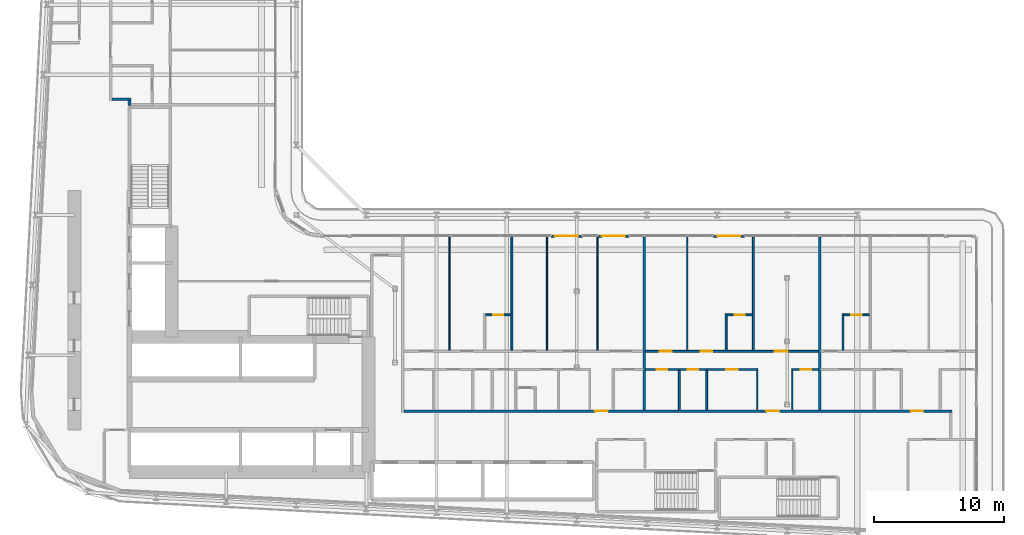
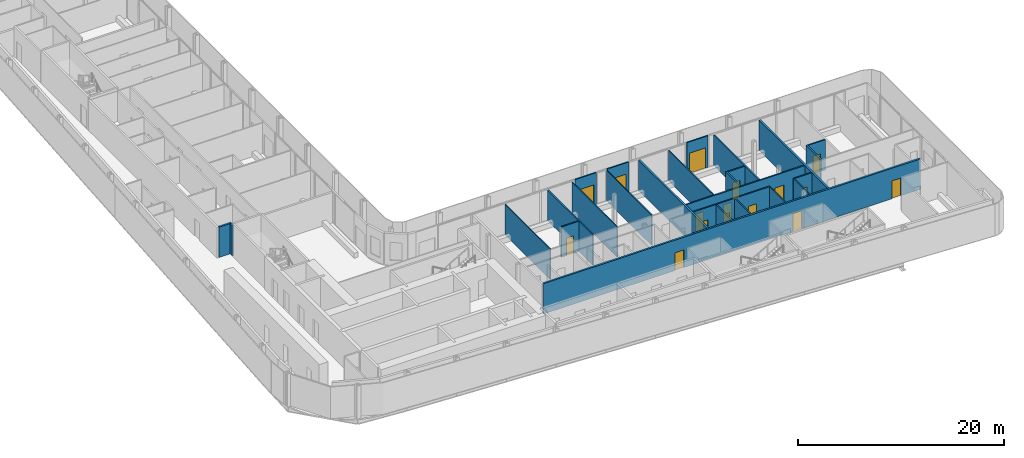
# One storey, part 17 of 29: 26 walls, 16 doors, 16 openings.
"""IFC4 building model written with IfcOpenShell, lengths in metres."""

from ifc_helpers import new_model, si_unit, direction, frame, frame_2d, origin, place, context, subcontext, project, spatial, rectangle, extrude, source, transform, mapped, material, layer, layer_set, type_object, element, fill, save


model = new_model("IFC4")

# Units and contexts
model_context = context("Model", 3, precision=1e-05, world=origin(), true_north=direction((0.0, 1.0)))
body_context = subcontext(model_context, "Body", "Model", "MODEL_VIEW")
ifc_project = project(units=[si_unit("LENGTHUNIT", "METRE"), si_unit("AREAUNIT", "SQUARE_METRE"), si_unit("VOLUMEUNIT", "CUBIC_METRE"), si_unit("PLANEANGLEUNIT", "RADIAN"), si_unit("MASSUNIT", "GRAM", prefix="KILO")], contexts=[model_context])

# Site, building, storey
site_placement = place(None, origin())
site = spatial("IfcSite", under=ifc_project, at=site_placement, CompositionType="ELEMENT")
building_placement = place(site_placement, origin())
building = spatial("IfcBuilding", under=site, at=building_placement, Name="Kheshtan School and Residences Tower", CompositionType="ELEMENT")
storey_placement = place(building_placement, frame((0.0, 0.0, 61.699951171875)))
storey = spatial("IfcBuildingStorey", under=building, at=storey_placement, Name="L14", CompositionType="ELEMENT", Elevation=61.699951171875)

# Walls
ifc_material_1 = material(Name="Gypsum board on steel studs with fire boards", Category="steel")
ifc_layer_1 = layer(ifc_material_1, 0.199951171875)
ifc_layer_set_1 = layer_set([ifc_layer_1], Name="Corridor wall 200")
wall_type_1 = type_object("IfcWallType", Name="Corridor wall 200", PredefinedType="PARTITIONING", material=ifc_layer_set_1)
wall_1_placement = place(storey_placement, frame((33.39990234375, 54.5, 0.0), z_axis=(0.0, 0.0, 1.0), x_axis=(1.0, 0.0, 0.0)))
element("IfcWall", 1, at=wall_1_placement, inside=storey, type_object=wall_type_1, Name="Partition L14-005", PredefinedType="PARTITIONING", context=body_context, shape_type="SweptSolid", body=[
    extrude(rectangle(XDim=1.4501953125, YDim=0.199951171875, at=frame_2d((0.72509765625, 0.0))), origin(), (0.0, 0.0, 1.0), 3.60009765625),
])
wall_2_placement = place(storey_placement, frame((34.75, 54.02490234375, 0.0), z_axis=(0.0, 0.0, 1.0), x_axis=(0.0, 1.0, 0.0)))
element("IfcWall", 2, at=wall_2_placement, inside=storey, type_object=wall_type_1, Name="Partition L14-015", PredefinedType="PARTITIONING", context=body_context, shape_type="SweptSolid", body=[
    extrude(rectangle(XDim=0.375, YDim=0.199951171875, at=frame_2d((0.1875, 0.0))), origin(), (0.0, 0.0, 1.0), 3.60009765625),
])

# Wall, openings, doors
wall_3_placement = place(storey_placement, frame((55.89990234375, 30.5, 0.0), z_axis=(0.0, 0.0, 1.0), x_axis=(1.0, 0.0, 0.0)))
wall_3 = element("IfcWall", 3, at=wall_3_placement, inside=storey, type_object=wall_type_1, Name="Partition L14-041", PredefinedType="PARTITIONING", context=body_context, shape_type="SweptSolid", body=[
    extrude(rectangle(XDim=42.2001953125, YDim=0.199951171875, at=frame_2d((21.10009765625, 0.0))), origin(), (0.0, 0.0, 1.0), 3.60009765625),
])
opening_1_placement = place(wall_3_placement, frame((14.699951171875, 0.0, 0.0)))
opening_1 = element("IfcOpeningElement", 4, at=opening_1_placement, cuts=wall_3, Name="Opening D14-007", PredefinedType="OPENING", context=body_context, shape_type="SweptSolid", body=[
    extrude(rectangle(XDim=1.0, YDim=2.10009765625, at=frame_2d((0.5, 1.050048828125))), frame((0.0, 0.10986328125, 0.0), z_axis=(0.0, -1.0, 0.0), x_axis=(1.0, 0.0, 0.0)), (0.0, 0.0, 1.0), 0.219970703125),
])
opening_2_placement = place(wall_3_placement, frame((27.89990234375, 0.0, 0.0)))
opening_2 = element("IfcOpeningElement", 5, at=opening_2_placement, cuts=wall_3, Name="Opening D14-019", PredefinedType="OPENING", context=body_context, shape_type="SweptSolid", body=[
    extrude(rectangle(XDim=1.0, YDim=2.10009765625, at=frame_2d((0.5, 1.050048828125))), frame((0.0, 0.10986328125, 0.0), z_axis=(0.0, -1.0, 0.0), x_axis=(1.0, 0.0, 0.0)), (0.0, 0.0, 1.0), 0.219970703125),
])
opening_3_placement = place(wall_3_placement, frame((39.0, 0.0, 0.0)))
opening_3 = element("IfcOpeningElement", 6, at=opening_3_placement, cuts=wall_3, Name="Opening D14-028", PredefinedType="OPENING", context=body_context, shape_type="SweptSolid", body=[
    extrude(rectangle(XDim=1.0, YDim=2.10009765625, at=frame_2d((0.5, 1.050048828125))), frame((0.0, 0.10986328125, 0.0), z_axis=(0.0, -1.0, 0.0), x_axis=(1.0, 0.0, 0.0)), (0.0, 0.0, 1.0), 0.219970703125),
])
ifc_material_2 = material(Name="Steel-framed fire-resisting door leaf", Category="steel")
door_type_1 = type_object("IfcDoorType", Name="Fire door FD30S 1000 x 2100", OperationType="SINGLE_SWING_LEFT", PredefinedType="DOOR", material=ifc_material_2)
shared_shape_1 = source(origin(), body_context, "Body", "SweptSolid", [
    extrude(rectangle(XDim=1.0, YDim=2.10009765625, at=frame_2d((0.5, 1.050048828125))), frame((0.0, 0.02490234375, 0.0), z_axis=(0.0, -1.0, 0.0), x_axis=(1.0, 0.0, 0.0)), (0.0, 0.0, 1.0), 0.050048828125),
])
door_1_placement = place(opening_1_placement, origin())
door_1 = element("IfcDoor", 7, at=door_1_placement, inside=storey, type_object=door_type_1, Name="Door D14-007", OperationType="SINGLE_SWING_LEFT", OverallHeight=2.10009765625, OverallWidth=1.0, PredefinedType="DOOR", context=body_context, shape_type="MappedRepresentation", body=[
    mapped(shared_shape_1, transform((0.0, 0.0, 0.0), x_axis=(1.0, 0.0, 0.0), y_axis=(0.0, 1.0, 0.0), z_axis=(0.0, 0.0, 1.0), scale=1.0)),
])
fill(opening_1, door_1)
door_2_placement = place(opening_2_placement, origin())
door_2 = element("IfcDoor", 8, at=door_2_placement, inside=storey, type_object=door_type_1, Name="Door D14-019", OperationType="SINGLE_SWING_LEFT", OverallHeight=2.10009765625, OverallWidth=1.0, PredefinedType="DOOR", context=body_context, shape_type="MappedRepresentation", body=[
    mapped(shared_shape_1, transform((0.0, 0.0, 0.0), x_axis=(1.0, 0.0, 0.0), y_axis=(0.0, 1.0, 0.0), z_axis=(0.0, 0.0, 1.0), scale=1.0)),
])
fill(opening_2, door_2)
door_3_placement = place(opening_3_placement, origin())
door_3 = element("IfcDoor", 9, at=door_3_placement, inside=storey, type_object=door_type_1, Name="Door D14-028", OperationType="SINGLE_SWING_LEFT", OverallHeight=2.10009765625, OverallWidth=1.0, PredefinedType="DOOR", context=body_context, shape_type="MappedRepresentation", body=[
    mapped(shared_shape_1, transform((0.0, 0.0, 0.0), x_axis=(1.0, 0.0, 0.0), y_axis=(0.0, 1.0, 0.0), z_axis=(0.0, 0.0, 1.0), scale=1.0)),
])
fill(opening_3, door_3)

# Wall, opening, door
ifc_material_3 = material(Name="Aluminium frame wall with insulated infill", Category="aluminium")
ifc_layer_2 = layer(ifc_material_3, 0.14990234375)
ifc_layer_set_2 = layer_set([ifc_layer_2], Name="Glazing frame wall 150")
wall_type_2 = type_object("IfcWallType", Name="Glazing frame wall 150", PredefinedType="SOLIDWALL", material=ifc_layer_set_2)
wall_4_placement = place(storey_placement, frame((67.218017578125, 43.97509765625, 0.0), z_axis=(0.0, 0.0, 1.0), x_axis=(1.0, 0.0, 0.0)))
wall_4 = element("IfcWall", 10, at=wall_4_placement, inside=storey, type_object=wall_type_2, Name="Balcony door wall L14 12.2", PredefinedType="SOLIDWALL", context=body_context, shape_type="SweptSolid", body=[
    extrude(rectangle(XDim=2.39990234375, YDim=0.14990234375, at=frame_2d((1.199951171875, 0.0))), origin(), (0.0, 0.0, 1.0), 3.75),
])
opening_4_placement = place(wall_4_placement, frame((0.300048828125, 0.0, 0.0)))
opening_4 = element("IfcOpeningElement", 11, at=opening_4_placement, cuts=wall_4, Name="Opening BD", PredefinedType="OPENING", context=body_context, shape_type="SweptSolid", body=[
    extrude(rectangle(XDim=1.800048828125, YDim=2.39990234375, at=frame_2d((0.89990234375, 1.199951171875))), frame((0.0, 0.0849609375, 0.0), z_axis=(0.0, -1.0, 0.0), x_axis=(1.0, 0.0, 0.0)), (0.0, 0.0, 1.0), 0.169921875),
])
ifc_material_4 = material(Name="Clear low-e glass in thermally broken aluminium frame", Category="aluminium")
door_type_2 = type_object("IfcDoorType", Name="Balcony sliding door", OperationType="SLIDING_TO_LEFT", PredefinedType="DOOR", material=ifc_material_4)
shared_shape_2 = source(origin(), body_context, "Body", "SweptSolid", [
    extrude(rectangle(XDim=1.800048828125, YDim=2.39990234375, at=frame_2d((0.89990234375, 1.199951171875))), frame((0.0, 0.02490234375, 0.0), z_axis=(0.0, -1.0, 0.0), x_axis=(1.0, 0.0, 0.0)), (0.0, 0.0, 1.0), 0.050048828125),
])
door_4_placement = place(opening_4_placement, origin())
door_4 = element("IfcDoor", 12, at=door_4_placement, inside=storey, type_object=door_type_2, Name="Balcony door L14 12.2", OperationType="SLIDING_TO_LEFT", OverallHeight=2.39990234375, OverallWidth=1.800048828125, PredefinedType="DOOR", context=body_context, shape_type="MappedRepresentation", body=[
    mapped(shared_shape_2, transform((0.0, 0.0, 0.0), x_axis=(1.0, 0.0, 0.0), y_axis=(0.0, 1.0, 0.0), z_axis=(0.0, 0.0, 1.0), scale=1.0)),
])
fill(opening_4, door_4)

wall_5_placement = place(storey_placement, frame((70.818115234375, 43.97509765625, 0.0), z_axis=(0.0, 0.0, 1.0), x_axis=(1.0, 0.0, 0.0)))
wall_5 = element("IfcWall", 13, at=wall_5_placement, inside=storey, type_object=wall_type_2, Name="Balcony door wall L14 12.3", PredefinedType="SOLIDWALL", context=body_context, shape_type="SweptSolid", body=[
    extrude(rectangle(XDim=2.39990234375, YDim=0.14990234375, at=frame_2d((1.199951171875, 0.0))), origin(), (0.0, 0.0, 1.0), 3.75),
])
opening_5_placement = place(wall_5_placement, frame((0.300048828125, 0.0, 0.0)))
opening_5 = element("IfcOpeningElement", 14, at=opening_5_placement, cuts=wall_5, Name="Opening BD", PredefinedType="OPENING", context=body_context, shape_type="SweptSolid", body=[
    extrude(rectangle(XDim=1.800048828125, YDim=2.39990234375, at=frame_2d((0.89990234375, 1.199951171875))), frame((0.0, 0.0849609375, 0.0), z_axis=(0.0, -1.0, 0.0), x_axis=(1.0, 0.0, 0.0)), (0.0, 0.0, 1.0), 0.169921875),
])
door_5_placement = place(opening_5_placement, origin())
door_5 = element("IfcDoor", 15, at=door_5_placement, inside=storey, type_object=door_type_2, Name="Balcony door L14 12.3", OperationType="SLIDING_TO_LEFT", OverallHeight=2.39990234375, OverallWidth=1.800048828125, PredefinedType="DOOR", context=body_context, shape_type="MappedRepresentation", body=[
    mapped(shared_shape_2, transform((0.0, 0.0, 0.0), x_axis=(1.0, 0.0, 0.0), y_axis=(0.0, 1.0, 0.0), z_axis=(0.0, 0.0, 1.0), scale=1.0)),
])
fill(opening_5, door_5)

wall_6_placement = place(storey_placement, frame((79.7119140625, 43.97509765625, 0.0), z_axis=(0.0, 0.0, 1.0), x_axis=(1.0, 0.0, 0.0)))
wall_6 = element("IfcWall", 16, at=wall_6_placement, inside=storey, type_object=wall_type_2, Name="Balcony door wall L14 12.4", PredefinedType="SOLIDWALL", context=body_context, shape_type="SweptSolid", body=[
    extrude(rectangle(XDim=2.400146484375, YDim=0.14990234375, at=frame_2d((1.2001953125, 0.0))), origin(), (0.0, 0.0, 1.0), 3.75),
])
opening_6_placement = place(wall_6_placement, frame((0.300048828125, 0.0, 0.0)))
opening_6 = element("IfcOpeningElement", 17, at=opening_6_placement, cuts=wall_6, Name="Opening BD", PredefinedType="OPENING", context=body_context, shape_type="SweptSolid", body=[
    extrude(rectangle(XDim=1.800048828125, YDim=2.39990234375, at=frame_2d((0.89990234375, 1.199951171875))), frame((0.0, 0.0849609375, 0.0), z_axis=(0.0, -1.0, 0.0), x_axis=(1.0, 0.0, 0.0)), (0.0, 0.0, 1.0), 0.169921875),
])
door_6_placement = place(opening_6_placement, origin())
door_6 = element("IfcDoor", 18, at=door_6_placement, inside=storey, type_object=door_type_2, Name="Balcony door L14 12.4", OperationType="SLIDING_TO_LEFT", OverallHeight=2.39990234375, OverallWidth=1.800048828125, PredefinedType="DOOR", context=body_context, shape_type="MappedRepresentation", body=[
    mapped(shared_shape_2, transform((0.0, 0.0, 0.0), x_axis=(1.0, 0.0, 0.0), y_axis=(0.0, 1.0, 0.0), z_axis=(0.0, 0.0, 1.0), scale=1.0)),
])
fill(opening_6, door_6)

# Walls
ifc_material_5 = material(Name="Gypsum board on steel studs", Category="steel")
ifc_layer_3 = layer(ifc_material_5, 0.10009765625)
ifc_layer_set_3 = layer_set([ifc_layer_3], Name="Gypsum partition 100")
wall_type_3 = type_object("IfcWallType", Name="Gypsum partition 100", PredefinedType="PARTITIONING", material=ifc_layer_set_3)
for number, where, z_axis, x_axis, name in (
    (19, (59.39990234375, 35.175048828125, 0.0), (0.0, 0.0, 1.0), (0.0, 1.0, 0.0), "Partition L14-045"),
    (20, (66.89990234375, 35.175048828125, 0.0), (0.0, 0.0, 1.0), (0.0, 1.0, 0.0), "Partition L14-054"),
    (21, (70.800048828125, 35.175048828125, 0.0), (0.0, 0.0, 1.0), (0.0, 1.0, 0.0), "Partition L14-057"),
    (22, (77.699951171875, 35.175048828125, 0.0), (0.0, 0.0, 1.0), (0.0, 1.0, 0.0), "Partition L14-064"),
):
    element("IfcWall", number, at=place(storey_placement, frame(where, z_axis=z_axis, x_axis=x_axis)), inside=storey, type_object=wall_type_3, Name=name, PredefinedType="PARTITIONING", context=body_context, shape_type="SweptSolid", body=[
        extrude(rectangle(XDim=8.724853515625, YDim=0.10009765625, at=frame_2d((4.3623046875, 0.0))), origin(), (0.0, 0.0, 1.0), 3.60009765625),
    ])
for number, where, z_axis, x_axis, name in (
    (23, (83.10009765625, 30.60009765625, 0.0), (0.0, 0.0, 1.0), (0.0, 1.0, 0.0), "Partition L14-069"),
    (24, (85.800048828125, 30.60009765625, 0.0), (0.0, 0.0, 1.0), (0.0, 1.0, 0.0), "Partition L14-071"),
):
    element("IfcWall", number, at=place(storey_placement, frame(where, z_axis=z_axis, x_axis=x_axis)), inside=storey, type_object=wall_type_3, Name=name, PredefinedType="PARTITIONING", context=body_context, shape_type="SweptSolid", body=[
        extrude(rectangle(XDim=3.02490234375, YDim=0.10009765625, at=frame_2d((1.512451171875, 0.0))), origin(), (0.0, 0.0, 1.0), 3.60009765625),
    ])
ifc_material_6 = material(Name="Twin gypsum board on steel studs with mineral wool", Category="steel")
ifc_layer_4 = layer(ifc_material_6, 0.199951171875)
ifc_layer_set_4 = layer_set([ifc_layer_4], Name="Unit demising wall 200")
wall_type_4 = type_object("IfcWallType", Name="Unit demising wall 200", PredefinedType="PARTITIONING", material=ifc_layer_set_4)
for number, where, z_axis, x_axis, name in (
    (25, (74.39990234375, 30.60009765625, 0.0), (0.0, 0.0, 1.0), (0.0, 1.0, 0.0), "Partition L14-060"),
    (26, (87.89990234375, 30.60009765625, 0.0), (0.0, 0.0, 1.0), (0.0, 1.0, 0.0), "Partition L14-072"),
):
    element("IfcWall", number, at=place(storey_placement, frame(where, z_axis=z_axis, x_axis=x_axis)), inside=storey, type_object=wall_type_4, Name=name, PredefinedType="PARTITIONING", context=body_context, shape_type="SweptSolid", body=[
        extrude(rectangle(XDim=13.2998046875, YDim=0.199951171875, at=frame_2d((6.64990234375, 0.0))), origin(), (0.0, 0.0, 1.0), 3.60009765625),
    ])

# Wall, opening, door
ifc_material_7 = material(Name="Moisture-resistant gypsum board on steel studs", Category="steel")
ifc_layer_5 = layer(ifc_material_7, 0.14990234375)
ifc_layer_set_5 = layer_set([ifc_layer_5], Name="Wet-room partition 150")
wall_type_5 = type_object("IfcWallType", Name="Wet-room partition 150", PredefinedType="PARTITIONING", material=ifc_layer_set_5)
wall_7_placement = place(storey_placement, frame((62.175048828125, 37.89990234375, 0.0), z_axis=(0.0, 0.0, 1.0), x_axis=(1.0, 0.0, 0.0)))
wall_7 = element("IfcWall", 27, at=wall_7_placement, inside=storey, type_object=wall_type_5, Name="Partition L14-048", PredefinedType="PARTITIONING", context=body_context, shape_type="SweptSolid", body=[
    extrude(rectangle(XDim=1.949951171875, YDim=0.14990234375, at=frame_2d((0.97509765625, 0.0))), origin(), (0.0, 0.0, 1.0), 3.60009765625),
])
opening_7_placement = place(wall_7_placement, frame((0.574951171875, 0.0, 0.0)))
opening_7 = element("IfcOpeningElement", 28, at=opening_7_placement, cuts=wall_7, Name="Opening D14-006", PredefinedType="OPENING", context=body_context, shape_type="SweptSolid", body=[
    extrude(rectangle(XDim=0.800048828125, YDim=2.10009765625, at=frame_2d((0.39990234375, 1.050048828125))), frame((0.0, 0.0849609375, 0.0), z_axis=(0.0, -1.0, 0.0), x_axis=(1.0, 0.0, 0.0)), (0.0, 0.0, 1.0), 0.169921875),
])
ifc_material_8 = material(Name="Veneered timber door leaf", Category="wood")
door_type_3 = type_object("IfcDoorType", Name="Door 800 x 2100", OperationType="SINGLE_SWING_LEFT", PredefinedType="DOOR", material=ifc_material_8)
shared_shape_3 = source(origin(), body_context, "Body", "SweptSolid", [
    extrude(rectangle(XDim=0.800048828125, YDim=2.10009765625, at=frame_2d((0.39990234375, 1.050048828125))), frame((0.0, 0.02490234375, 0.0), z_axis=(0.0, -1.0, 0.0), x_axis=(1.0, 0.0, 0.0)), (0.0, 0.0, 1.0), 0.050048828125),
])
door_7_placement = place(opening_7_placement, origin())
door_7 = element("IfcDoor", 29, at=door_7_placement, inside=storey, type_object=door_type_3, Name="Door D14-006", OperationType="SINGLE_SWING_LEFT", OverallHeight=2.10009765625, OverallWidth=0.800048828125, PredefinedType="DOOR", context=body_context, shape_type="MappedRepresentation", body=[
    mapped(shared_shape_3, transform((0.0, 0.0, 0.0), x_axis=(1.0, 0.0, 0.0), y_axis=(0.0, 1.0, 0.0), z_axis=(0.0, 0.0, 1.0), scale=1.0)),
])
fill(opening_7, door_7)

# Wall
wall_8_placement = place(storey_placement, frame((64.199951171875, 35.175048828125, 0.0), z_axis=(0.0, 0.0, 1.0), x_axis=(0.0, 1.0, 0.0)))
element("IfcWall", 30, at=wall_8_placement, inside=storey, type_object=wall_type_5, Name="Partition L14-050", PredefinedType="PARTITIONING", context=body_context, shape_type="SweptSolid", body=[
    extrude(rectangle(XDim=8.724853515625, YDim=0.14990234375, at=frame_2d((4.3623046875, 0.0))), origin(), (0.0, 0.0, 1.0), 3.60009765625),
])

# Wall, openings, doors
wall_9_placement = place(storey_placement, frame((74.5, 33.699951171875, 0.0), z_axis=(0.0, 0.0, 1.0), x_axis=(1.0, 0.0, 0.0)))
wall_9 = element("IfcWall", 31, at=wall_9_placement, inside=storey, type_object=wall_type_5, Name="Partition L14-061", PredefinedType="PARTITIONING", context=body_context, shape_type="SweptSolid", body=[
    extrude(rectangle(XDim=8.64990234375, YDim=0.14990234375, at=frame_2d((4.324951171875, 0.0))), origin(), (0.0, 0.0, 1.0), 3.60009765625),
])
opening_8_placement = place(wall_9_placement, frame((0.85009765625, 0.0, 0.0)))
opening_8 = element("IfcOpeningElement", 32, at=opening_8_placement, cuts=wall_9, Name="Opening D14-016", PredefinedType="OPENING", context=body_context, shape_type="SweptSolid", body=[
    extrude(rectangle(XDim=0.800048828125, YDim=2.10009765625, at=frame_2d((0.39990234375, 1.050048828125))), frame((0.0, 0.0849609375, 0.0), z_axis=(0.0, -1.0, 0.0), x_axis=(1.0, 0.0, 0.0)), (0.0, 0.0, 1.0), 0.169921875),
])
opening_9_placement = place(wall_9_placement, frame((6.199951171875, 0.0, 0.0)))
opening_9 = element("IfcOpeningElement", 33, at=opening_9_placement, cuts=wall_9, Name="Opening D14-020", PredefinedType="OPENING", context=body_context, shape_type="SweptSolid", body=[
    extrude(rectangle(XDim=0.89990234375, YDim=2.10009765625, at=frame_2d((0.449951171875, 1.050048828125))), frame((0.0, 0.0849609375, 0.0), z_axis=(0.0, -1.0, 0.0), x_axis=(1.0, 0.0, 0.0)), (0.0, 0.0, 1.0), 0.169921875),
])
opening_10_placement = place(wall_9_placement, frame((3.25, 0.0, 0.0)))
opening_10 = element("IfcOpeningElement", 34, at=opening_10_placement, cuts=wall_9, Name="Opening D14-024", PredefinedType="OPENING", context=body_context, shape_type="SweptSolid", body=[
    extrude(rectangle(XDim=0.800048828125, YDim=2.10009765625, at=frame_2d((0.39990234375, 1.050048828125))), frame((0.0, 0.0849609375, 0.0), z_axis=(0.0, -1.0, 0.0), x_axis=(1.0, 0.0, 0.0)), (0.0, 0.0, 1.0), 0.169921875),
])
door_8_placement = place(opening_8_placement, origin())
door_8 = element("IfcDoor", 35, at=door_8_placement, inside=storey, type_object=door_type_3, Name="Door D14-016", OperationType="SINGLE_SWING_LEFT", OverallHeight=2.10009765625, OverallWidth=0.800048828125, PredefinedType="DOOR", context=body_context, shape_type="MappedRepresentation", body=[
    mapped(shared_shape_3, transform((0.0, 0.0, 0.0), x_axis=(1.0, 0.0, 0.0), y_axis=(0.0, 1.0, 0.0), z_axis=(0.0, 0.0, 1.0), scale=1.0)),
])
fill(opening_8, door_8)
door_9_placement = place(opening_10_placement, origin())
door_9 = element("IfcDoor", 36, at=door_9_placement, inside=storey, type_object=door_type_3, Name="Door D14-024", OperationType="SINGLE_SWING_LEFT", OverallHeight=2.10009765625, OverallWidth=0.800048828125, PredefinedType="DOOR", context=body_context, shape_type="MappedRepresentation", body=[
    mapped(shared_shape_3, transform((0.0, 0.0, 0.0), x_axis=(1.0, 0.0, 0.0), y_axis=(0.0, 1.0, 0.0), z_axis=(0.0, 0.0, 1.0), scale=1.0)),
])
fill(opening_10, door_9)
door_type_4 = type_object("IfcDoorType", Name="Door 900 x 2100", OperationType="SINGLE_SWING_LEFT", PredefinedType="DOOR", material=ifc_material_8)
shared_shape_4 = source(origin(), body_context, "Body", "SweptSolid", [
    extrude(rectangle(XDim=0.89990234375, YDim=2.10009765625, at=frame_2d((0.449951171875, 1.050048828125))), frame((0.0, 0.02490234375, 0.0), z_axis=(0.0, -1.0, 0.0), x_axis=(1.0, 0.0, 0.0)), (0.0, 0.0, 1.0), 0.050048828125),
])
door_10_placement = place(opening_9_placement, origin())
door_10 = element("IfcDoor", 37, at=door_10_placement, inside=storey, type_object=door_type_4, Name="Door D14-020", OperationType="SINGLE_SWING_LEFT", OverallHeight=2.10009765625, OverallWidth=0.89990234375, PredefinedType="DOOR", context=body_context, shape_type="MappedRepresentation", body=[
    mapped(shared_shape_4, transform((0.0, 0.0, 0.0), x_axis=(1.0, 0.0, 0.0), y_axis=(0.0, 1.0, 0.0), z_axis=(0.0, 0.0, 1.0), scale=1.0)),
])
fill(opening_9, door_10)

wall_10_placement = place(storey_placement, frame((74.5, 35.10009765625, 0.0), z_axis=(0.0, 0.0, 1.0), x_axis=(1.0, 0.0, 0.0)))
wall_10 = element("IfcWall", 38, at=wall_10_placement, inside=storey, type_object=wall_type_5, Name="Partition L14-062", PredefinedType="PARTITIONING", context=body_context, shape_type="SweptSolid", body=[
    extrude(rectangle(XDim=13.300048828125, YDim=0.14990234375, at=frame_2d((6.64990234375, 0.0))), origin(), (0.0, 0.0, 1.0), 3.60009765625),
])
opening_11_placement = place(wall_10_placement, frame((1.10009765625, 0.0, 0.0)))
opening_11 = element("IfcOpeningElement", 39, at=opening_11_placement, cuts=wall_10, Name="Opening D14-017", PredefinedType="OPENING", context=body_context, shape_type="SweptSolid", body=[
    extrude(rectangle(XDim=0.89990234375, YDim=2.10009765625, at=frame_2d((0.449951171875, 1.050048828125))), frame((0.0, 0.0849609375, 0.0), z_axis=(0.0, -1.0, 0.0), x_axis=(1.0, 0.0, 0.0)), (0.0, 0.0, 1.0), 0.169921875),
])
opening_12_placement = place(wall_10_placement, frame((9.949951171875, 0.0, 0.0)))
opening_12 = element("IfcOpeningElement", 40, at=opening_12_placement, cuts=wall_10, Name="Opening D14-021", PredefinedType="OPENING", context=body_context, shape_type="SweptSolid", body=[
    extrude(rectangle(XDim=1.0, YDim=2.10009765625, at=frame_2d((0.5, 1.050048828125))), frame((0.0, 0.0849609375, 0.0), z_axis=(0.0, -1.0, 0.0), x_axis=(1.0, 0.0, 0.0)), (0.0, 0.0, 1.0), 0.169921875),
])
opening_13_placement = place(wall_10_placement, frame((4.25, 0.0, 0.0)))
opening_13 = element("IfcOpeningElement", 41, at=opening_13_placement, cuts=wall_10, Name="Opening D14-022", PredefinedType="OPENING", context=body_context, shape_type="SweptSolid", body=[
    extrude(rectangle(XDim=0.89990234375, YDim=2.10009765625, at=frame_2d((0.449951171875, 1.050048828125))), frame((0.0, 0.0849609375, 0.0), z_axis=(0.0, -1.0, 0.0), x_axis=(1.0, 0.0, 0.0)), (0.0, 0.0, 1.0), 0.169921875),
])
door_type_5 = type_object("IfcDoorType", Name="Door 1000 x 2100", OperationType="SINGLE_SWING_LEFT", PredefinedType="DOOR", material=ifc_material_8)
shared_shape_5 = source(origin(), body_context, "Body", "SweptSolid", [
    extrude(rectangle(XDim=1.0, YDim=2.10009765625, at=frame_2d((0.5, 1.050048828125))), frame((0.0, 0.02490234375, 0.0), z_axis=(0.0, -1.0, 0.0), x_axis=(1.0, 0.0, 0.0)), (0.0, 0.0, 1.0), 0.050048828125),
])
door_11_placement = place(opening_12_placement, origin())
door_11 = element("IfcDoor", 42, at=door_11_placement, inside=storey, type_object=door_type_5, Name="Door D14-021", OperationType="SINGLE_SWING_LEFT", OverallHeight=2.10009765625, OverallWidth=1.0, PredefinedType="DOOR", context=body_context, shape_type="MappedRepresentation", body=[
    mapped(shared_shape_5, transform((0.0, 0.0, 0.0), x_axis=(1.0, 0.0, 0.0), y_axis=(0.0, 1.0, 0.0), z_axis=(0.0, 0.0, 1.0), scale=1.0)),
])
fill(opening_12, door_11)
door_12_placement = place(opening_11_placement, origin())
door_12 = element("IfcDoor", 43, at=door_12_placement, inside=storey, type_object=door_type_4, Name="Door D14-017", OperationType="SINGLE_SWING_RIGHT", OverallHeight=2.10009765625, OverallWidth=0.89990234375, PredefinedType="DOOR", context=body_context, shape_type="MappedRepresentation", body=[
    mapped(shared_shape_4, transform((0.0, 0.0, 0.0), x_axis=(1.0, 0.0, 0.0), y_axis=(0.0, 1.0, 0.0), z_axis=(0.0, 0.0, 1.0), scale=1.0)),
])
fill(opening_11, door_12)
door_13_placement = place(opening_13_placement, origin())
door_13 = element("IfcDoor", 44, at=door_13_placement, inside=storey, type_object=door_type_4, Name="Door D14-022", OperationType="SINGLE_SWING_LEFT", OverallHeight=2.10009765625, OverallWidth=0.89990234375, PredefinedType="DOOR", context=body_context, shape_type="MappedRepresentation", body=[
    mapped(shared_shape_4, transform((0.0, 0.0, 0.0), x_axis=(1.0, 0.0, 0.0), y_axis=(0.0, 1.0, 0.0), z_axis=(0.0, 0.0, 1.0), scale=1.0)),
])
fill(opening_13, door_13)

# Walls
for number, where, z_axis, x_axis, name in (
    (45, (77.10009765625, 30.60009765625, 0.0), (0.0, 0.0, 1.0), (0.0, 1.0, 0.0), "Partition L14-063"),
    (46, (79.199951171875, 30.60009765625, 0.0), (0.0, 0.0, 1.0), (0.0, 1.0, 0.0), "Partition L14-065"),
):
    element("IfcWall", number, at=place(storey_placement, frame(where, z_axis=z_axis, x_axis=x_axis)), inside=storey, type_object=wall_type_5, Name=name, PredefinedType="PARTITIONING", context=body_context, shape_type="SweptSolid", body=[
        extrude(rectangle(XDim=3.02490234375, YDim=0.14990234375, at=frame_2d((1.512451171875, 0.0))), origin(), (0.0, 0.0, 1.0), 3.60009765625),
    ])
wall_11_placement = place(storey_placement, frame((80.699951171875, 35.175048828125, 0.0), z_axis=(0.0, 0.0, 1.0), x_axis=(0.0, 1.0, 0.0)))
element("IfcWall", 47, at=wall_11_placement, inside=storey, type_object=wall_type_5, Name="Partition L14-066", PredefinedType="PARTITIONING", context=body_context, shape_type="SweptSolid", body=[
    extrude(rectangle(XDim=2.800048828125, YDim=0.14990234375, at=frame_2d((1.39990234375, 0.0))), origin(), (0.0, 0.0, 1.0), 3.60009765625),
])

# Wall, opening, door
wall_12_placement = place(storey_placement, frame((80.77490234375, 37.89990234375, 0.0), z_axis=(0.0, 0.0, 1.0), x_axis=(1.0, 0.0, 0.0)))
wall_12 = element("IfcWall", 48, at=wall_12_placement, inside=storey, type_object=wall_type_5, Name="Partition L14-067", PredefinedType="PARTITIONING", context=body_context, shape_type="SweptSolid", body=[
    extrude(rectangle(XDim=1.9501953125, YDim=0.14990234375, at=frame_2d((0.97509765625, 0.0))), origin(), (0.0, 0.0, 1.0), 3.60009765625),
])
opening_14_placement = place(wall_12_placement, frame((0.574951171875, 0.0, 0.0)))
opening_14 = element("IfcOpeningElement", 49, at=opening_14_placement, cuts=wall_12, Name="Opening D14-018", PredefinedType="OPENING", context=body_context, shape_type="SweptSolid", body=[
    extrude(rectangle(XDim=0.800048828125, YDim=2.10009765625, at=frame_2d((0.39990234375, 1.050048828125))), frame((0.0, 0.0849609375, 0.0), z_axis=(0.0, -1.0, 0.0), x_axis=(1.0, 0.0, 0.0)), (0.0, 0.0, 1.0), 0.169921875),
])
door_14_placement = place(opening_14_placement, origin())
door_14 = element("IfcDoor", 50, at=door_14_placement, inside=storey, type_object=door_type_3, Name="Door D14-018", OperationType="SINGLE_SWING_LEFT", OverallHeight=2.10009765625, OverallWidth=0.800048828125, PredefinedType="DOOR", context=body_context, shape_type="MappedRepresentation", body=[
    mapped(shared_shape_3, transform((0.0, 0.0, 0.0), x_axis=(1.0, 0.0, 0.0), y_axis=(0.0, 1.0, 0.0), z_axis=(0.0, 0.0, 1.0), scale=1.0)),
])
fill(opening_14, door_14)

# Wall
wall_13_placement = place(storey_placement, frame((82.800048828125, 35.175048828125, 0.0), z_axis=(0.0, 0.0, 1.0), x_axis=(0.0, 1.0, 0.0)))
element("IfcWall", 51, at=wall_13_placement, inside=storey, type_object=wall_type_5, Name="Partition L14-068", PredefinedType="PARTITIONING", context=body_context, shape_type="SweptSolid", body=[
    extrude(rectangle(XDim=8.724853515625, YDim=0.14990234375, at=frame_2d((4.3623046875, 0.0))), origin(), (0.0, 0.0, 1.0), 3.60009765625),
])

# Wall, opening, door
wall_14_placement = place(storey_placement, frame((85.75, 33.699951171875, 0.0), z_axis=(0.0, 0.0, 1.0), x_axis=(1.0, 0.0, 0.0)))
wall_14 = element("IfcWall", 52, at=wall_14_placement, inside=storey, type_object=wall_type_5, Name="Partition L14-070", PredefinedType="PARTITIONING", context=body_context, shape_type="SweptSolid", body=[
    extrude(rectangle(XDim=2.050048828125, YDim=0.14990234375, at=frame_2d((1.02490234375, 0.0))), origin(), (0.0, 0.0, 1.0), 3.60009765625),
])
opening_15_placement = place(wall_14_placement, frame((0.699951171875, 0.0, 0.0)))
opening_15 = element("IfcOpeningElement", 53, at=opening_15_placement, cuts=wall_14, Name="Opening D14-023", PredefinedType="OPENING", context=body_context, shape_type="SweptSolid", body=[
    extrude(rectangle(XDim=0.800048828125, YDim=2.10009765625, at=frame_2d((0.39990234375, 1.050048828125))), frame((0.0, 0.0849609375, 0.0), z_axis=(0.0, -1.0, 0.0), x_axis=(1.0, 0.0, 0.0)), (0.0, 0.0, 1.0), 0.169921875),
])
door_15_placement = place(opening_15_placement, origin())
door_15 = element("IfcDoor", 54, at=door_15_placement, inside=storey, type_object=door_type_3, Name="Door D14-023", OperationType="SINGLE_SWING_RIGHT", OverallHeight=2.10009765625, OverallWidth=0.800048828125, PredefinedType="DOOR", context=body_context, shape_type="MappedRepresentation", body=[
    mapped(shared_shape_3, transform((0.0, 0.0, 0.0), x_axis=(1.0, 0.0, 0.0), y_axis=(0.0, 1.0, 0.0), z_axis=(0.0, 0.0, 1.0), scale=1.0)),
])
fill(opening_15, door_15)

# Wall
wall_15_placement = place(storey_placement, frame((89.699951171875, 35.175048828125, 0.0), z_axis=(0.0, 0.0, 1.0), x_axis=(0.0, 1.0, 0.0)))
element("IfcWall", 55, at=wall_15_placement, inside=storey, type_object=wall_type_5, Name="Partition L14-075", PredefinedType="PARTITIONING", context=body_context, shape_type="SweptSolid", body=[
    extrude(rectangle(XDim=2.800048828125, YDim=0.14990234375, at=frame_2d((1.39990234375, 0.0))), origin(), (0.0, 0.0, 1.0), 3.60009765625),
])

# Wall, opening, door
wall_16_placement = place(storey_placement, frame((89.77490234375, 37.89990234375, 0.0), z_axis=(0.0, 0.0, 1.0), x_axis=(1.0, 0.0, 0.0)))
wall_16 = element("IfcWall", 56, at=wall_16_placement, inside=storey, type_object=wall_type_5, Name="Partition L14-076", PredefinedType="PARTITIONING", context=body_context, shape_type="SweptSolid", body=[
    extrude(rectangle(XDim=1.9501953125, YDim=0.14990234375, at=frame_2d((0.97509765625, 0.0))), origin(), (0.0, 0.0, 1.0), 3.60009765625),
])
opening_16_placement = place(wall_16_placement, frame((0.574951171875, 0.0, 0.0)))
opening_16 = element("IfcOpeningElement", 57, at=opening_16_placement, cuts=wall_16, Name="Opening D14-027", PredefinedType="OPENING", context=body_context, shape_type="SweptSolid", body=[
    extrude(rectangle(XDim=0.800048828125, YDim=2.10009765625, at=frame_2d((0.39990234375, 1.050048828125))), frame((0.0, 0.0849609375, 0.0), z_axis=(0.0, -1.0, 0.0), x_axis=(1.0, 0.0, 0.0)), (0.0, 0.0, 1.0), 0.169921875),
])
door_16_placement = place(opening_16_placement, origin())
door_16 = element("IfcDoor", 58, at=door_16_placement, inside=storey, type_object=door_type_3, Name="Door D14-027", OperationType="SINGLE_SWING_LEFT", OverallHeight=2.10009765625, OverallWidth=0.800048828125, PredefinedType="DOOR", context=body_context, shape_type="MappedRepresentation", body=[
    mapped(shared_shape_3, transform((0.0, 0.0, 0.0), x_axis=(1.0, 0.0, 0.0), y_axis=(0.0, 1.0, 0.0), z_axis=(0.0, 0.0, 1.0), scale=1.0)),
])
fill(opening_16, door_16)

save(model, "model.ifc")
